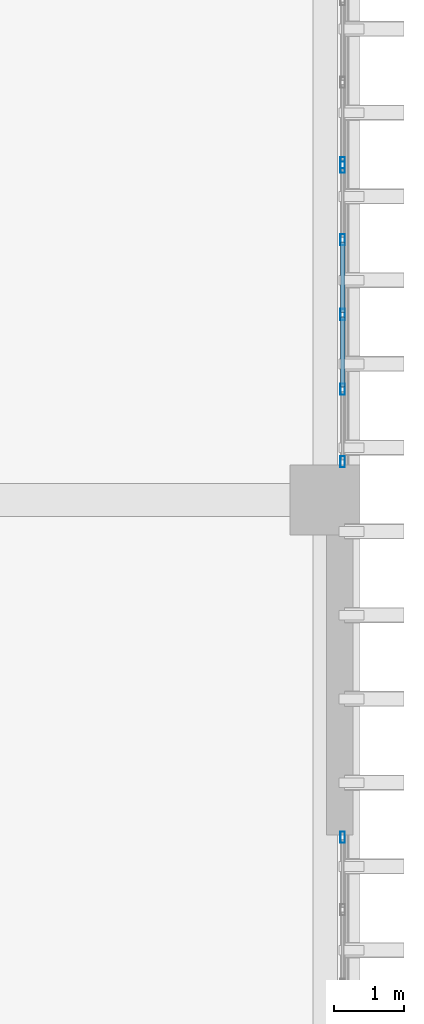
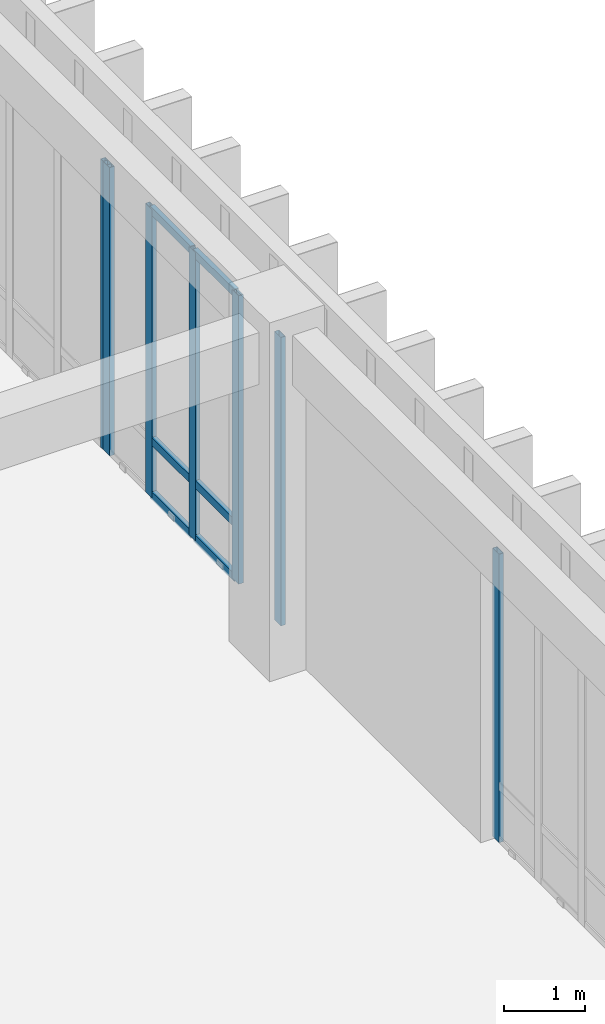
# One storey, part 86 of 134: 13 members, 3 elements without a shape of their own.
"""IFC4 building model written with IfcOpenShell, lengths in metres."""

import ifcopenshell
import ifcopenshell.guid

model = None  # the IFC model being written
_history = None  # IfcOwnerHistory: only IFC2X3 demands one
_inside = {}  # id of a spatial element -> (the spatial element, [elements in it])
_under = {}  # id of a project, library or spatial element -> (it, [spatial elements below it])
_declared = {}  # id of a project -> (the project, [libraries it declares])
_typed = {}  # id of a type object -> (the type object, [elements of that type])
_made_of = {}  # id of a material, layer set ... -> (it, [elements and type objects made of it])


def new_model(schema):
    """Start an empty IFC model of exactly this schema.

    Asked for "IFC4X3", IfcOpenShell would pick the latest addendum, in which some entities
    have other attributes; the version numbers below select the first issue.
    IFC2X3 requires an IfcOwnerHistory on every rooted entity: one is made here for all.
    """
    global model, _history
    if schema == "IFC4X3":
        model = ifcopenshell.file(schema_version=(4, 3, 0, 0))
    else:
        model = ifcopenshell.file(schema=schema)
    _inside.clear()
    _under.clear()
    _declared.clear()
    _typed.clear()
    _made_of.clear()
    _history = None
    if model.schema == "IFC2X3":
        org = make("IfcOrganization", Name="unknown")
        user = make(
            "IfcPersonAndOrganization",
            ThePerson=make("IfcPerson", FamilyName="unknown"),
            TheOrganization=org,
        )
        app = make(
            "IfcApplication",
            ApplicationDeveloper=org,
            Version="unknown",
            ApplicationFullName="unknown",
            ApplicationIdentifier="unknown",
        )
        _history = make(
            "IfcOwnerHistory",
            OwningUser=user,
            OwningApplication=app,
            ChangeAction="ADDED",
            CreationDate=0,
        )
    return model


def make(cls, **values):
    """One entity of the class cls with the attributes given. An attribute that is None is left unset."""
    return model.create_entity(
        cls, **{name: value for name, value in values.items() if value is not None}
    )


def rooted(cls, **values):
    """An entity with a GlobalId (a new one), such as an element, a storey or a relation."""
    return make(cls, GlobalId=ifcopenshell.guid.new(), OwnerHistory=_history, **values)


def si_unit(unit_type, name, prefix=None):
    """IfcSIUnit, for example si_unit("LENGTHUNIT", "METRE", prefix="MILLI")."""
    return make("IfcSIUnit", UnitType=unit_type, Prefix=prefix, Name=name)


def assignment(units):
    """IfcUnitAssignment: the units of a project."""
    return None if units is None else make("IfcUnitAssignment", Units=units)


def point(xyz):
    """IfcCartesianPoint."""
    return None if xyz is None else make("IfcCartesianPoint", Coordinates=xyz)


def direction(xyz):
    """IfcDirection."""
    return None if xyz is None else make("IfcDirection", DirectionRatios=xyz)


def frame(location, z_axis=None, x_axis=None):
    """IfcAxis2Placement3D, a coordinate frame: its origin and axes. An axis left out is left unset."""
    return make(
        "IfcAxis2Placement3D",
        Location=point(location),
        Axis=direction(z_axis),
        RefDirection=direction(x_axis),
    )


def frame_2d(location, x_axis=None):
    """IfcAxis2Placement2D, a coordinate frame in the plane: its origin and x axis."""
    return make(
        "IfcAxis2Placement2D", Location=point(location), RefDirection=direction(x_axis)
    )


def origin():
    """The frame at (0, 0, 0) with its axes left unset."""
    return frame((0.0, 0.0, 0.0))


def origin_2d():
    """The frame at (0, 0) in the plane with its x axis left unset."""
    return frame_2d((0.0, 0.0))


def place(relative_to, where):
    """IfcLocalPlacement: puts the frame where relative to a parent placement (None: the world)."""
    return make(
        "IfcLocalPlacement", PlacementRelTo=relative_to, RelativePlacement=where
    )


def context(
    kind, dimensions, precision=None, world=None, true_north=None, identifier=None
):
    """IfcGeometricRepresentationContext, for example the 3D "Model" context."""
    return make(
        "IfcGeometricRepresentationContext",
        ContextIdentifier=identifier,
        ContextType=kind,
        CoordinateSpaceDimension=dimensions,
        Precision=precision,
        WorldCoordinateSystem=world,
        TrueNorth=true_north,
    )


def subcontext(parent, identifier, kind, view, scale=None):
    """IfcGeometricRepresentationSubContext, for example "Body" below "Model"."""
    return make(
        "IfcGeometricRepresentationSubContext",
        ContextIdentifier=identifier,
        ContextType=kind,
        ParentContext=parent,
        TargetScale=scale,
        TargetView=view,
    )


def project(units=None, contexts=None):
    """IfcProject with its units and contexts."""
    return rooted(
        "IfcProject",
        Name="project",
        RepresentationContexts=contexts,
        UnitsInContext=assignment(units),
    )


def spatial(cls, under=None, at=None, **own):
    """A site, building, storey or space (cls), placed at a placement, below another one or the project."""
    s = rooted(cls, ObjectPlacement=at, **own)
    if under is not None:
        _under.setdefault(under.id(), (under, []))[1].append(s)
    return s


def profile(cls, at=None, kind="AREA", **sizes):
    """A parametric profile (cls). Its sizes go by their IFC names, for example OverallWidth=200.0."""
    return make(cls, ProfileType=kind, Position=at, **sizes)


def hollow_rectangle(**sizes):
    """IfcRectangleHollowProfileDef."""
    return profile("IfcRectangleHollowProfileDef", **sizes)


def extrude(swept, where, along, depth):
    """IfcExtrudedAreaSolid: the profile swept, set in the frame where, extruded along a direction by depth."""
    return make(
        "IfcExtrudedAreaSolid",
        SweptArea=swept,
        Position=where,
        ExtrudedDirection=direction(along),
        Depth=depth,
    )


def shape(context_of_items, identifier, shape_type, items):
    """IfcShapeRepresentation: the items that make up one representation, for example the "Body"."""
    return make(
        "IfcShapeRepresentation",
        ContextOfItems=context_of_items,
        RepresentationIdentifier=identifier,
        RepresentationType=shape_type,
        Items=items,
    )


def material(Name=None, Category=None):
    """IfcMaterial."""
    return make("IfcMaterial", Name=Name, Category=Category)


def layer(
    of_material, thickness, ventilated=None, Name=None, Category=None, Priority=None
):
    """IfcMaterialLayer: one layer of a wall or slab, of a material (None: an air gap)."""
    return make(
        "IfcMaterialLayer",
        Material=of_material,
        LayerThickness=thickness,
        IsVentilated=ventilated,
        Name=Name,
        Category=Category,
        Priority=Priority,
    )


def layer_set(layers, Name=None):
    """IfcMaterialLayerSet."""
    return make("IfcMaterialLayerSet", MaterialLayers=layers, LayerSetName=Name)


def material_profile(
    of_material, cross_section, Name=None, Category=None, Priority=None
):
    """IfcMaterialProfile: a cross section and its material."""
    return make(
        "IfcMaterialProfile",
        Name=Name,
        Material=of_material,
        Profile=cross_section,
        Priority=Priority,
        Category=Category,
    )


def profile_set(profiles, Name=None, composite=None):
    """IfcMaterialProfileSet."""
    return make(
        "IfcMaterialProfileSet",
        Name=Name,
        MaterialProfiles=profiles,
        CompositeProfile=composite,
    )


def made_of(thing, what):
    """Note that an element or type object is made of a material, layer set ...; save() writes the relation."""
    if what is not None:
        _made_of.setdefault(what.id(), (what, []))[1].append(thing)
    return thing


def type_object(cls, material=None, **own):
    """A type object (cls), such as IfcWallType, which elements share."""
    return made_of(rooted(cls, **own), material)


def element(
    cls,
    number,
    at=None,
    inside=None,
    cuts=None,
    type_object=None,
    material=None,
    context=None,
    identifier="Body",
    shape_type=None,
    held_by="IfcProductDefinitionShape",
    body=None,
    shapes=None,
    **own,
):
    """One element of the class cls, such as IfcWall. Its Tag is "e" and its number.

    at: its placement. inside: the storey or other place that contains it. cuts: it is an
    opening in that element (IfcRelVoidsElement). A single representation is given by context,
    identifier, shape_type and body (its items); several are given by shapes. held_by: the class
    of the entity that holds the representations. save() writes the other relations.
    """
    e = rooted(cls, Tag="e%d" % number, ObjectPlacement=at, **own)
    if body is not None:
        shapes = [shape(context, identifier, shape_type, body)]
    if shapes is not None:
        e.Representation = make(held_by, Representations=shapes)
    if inside is not None:
        _inside.setdefault(inside.id(), (inside, []))[1].append(e)
    if cuts is not None:
        rooted(
            "IfcRelVoidsElement", RelatingBuildingElement=cuts, RelatedOpeningElement=e
        )
    if type_object is not None:
        _typed.setdefault(type_object.id(), (type_object, []))[1].append(e)
    return made_of(e, material)


def aggregate(whole, parts):
    """IfcRelAggregates: a whole, such as a stair, and the parts it consists of."""
    return rooted("IfcRelAggregates", RelatingObject=whole, RelatedObjects=parts)


def save(model, path):
    """Write the relations noted so far, then the file.

    IfcRelAggregates (storeys below a building ...), IfcRelContainedInSpatialStructure (elements
    in a storey), IfcRelDefinesByType, IfcRelAssociatesMaterial and IfcRelDeclares: one each for
    every whole, place, type object, material and project.
    """
    for whole, parts in _under.values():
        aggregate(whole, parts)
    for where, things in _inside.values():
        rooted(
            "IfcRelContainedInSpatialStructure",
            RelatedElements=things,
            RelatingStructure=where,
        )
    for kind, things in _typed.values():
        rooted("IfcRelDefinesByType", RelatedObjects=things, RelatingType=kind)
    for what, things in _made_of.values():
        rooted("IfcRelAssociatesMaterial", RelatedObjects=things, RelatingMaterial=what)
    for by, libraries in _declared.values():
        rooted("IfcRelDeclares", RelatingContext=by, RelatedDefinitions=libraries)
    model.write(path)


model = new_model("IFC4")

# Units and contexts
model_context = context("Model", 3, precision=1e-05, world=origin(), true_north=direction((0.0, 1.0)))
body_context = subcontext(model_context, "Body", "Model", "MODEL_VIEW")
ifc_project = project(units=[si_unit("LENGTHUNIT", "METRE"), si_unit("AREAUNIT", "SQUARE_METRE"), si_unit("VOLUMEUNIT", "CUBIC_METRE"), si_unit("PLANEANGLEUNIT", "RADIAN"), si_unit("MASSUNIT", "GRAM", prefix="KILO")], contexts=[model_context])

# Site, building, storey
site_placement = place(None, origin())
site = spatial("IfcSite", under=ifc_project, at=site_placement, CompositionType="ELEMENT")
building_placement = place(site_placement, origin())
building = spatial("IfcBuilding", under=site, at=building_placement, Name="Nakhvara Creek Congress Hotel", CompositionType="ELEMENT")
storey_placement = place(building_placement, frame((0.0, 0.0, 6.0)))
storey = spatial("IfcBuildingStorey", under=building, at=storey_placement, Name="L01", CompositionType="ELEMENT", Elevation=6.0)

# Curtain wall, member
ifc_material_1 = material(Name="Bronze-anodised aluminium AW-6063-T6 and double-silver low-E glass", Category="aluminium")
ifc_layer = layer(ifc_material_1, 0.199951171875)
ifc_layer_set = layer_set([ifc_layer], Name="Bronze-anodised aluminium AW-6063-T6 and double-silver low-E glass")
curtain_wall_type = type_object("IfcCurtainWallType", Name="CW-HTL-UNIT", PredefinedType="USERDEFINED", material=ifc_layer_set)
curtain_wall_1_placement = place(storey_placement, origin())
curtain_wall_1 = element("IfcCurtainWall", 1, at=curtain_wall_1_placement, inside=storey, type_object=curtain_wall_type, Name="Curtain Wall CW123", ObjectType="UNITISED", PredefinedType="USERDEFINED")
ifc_material_2 = material(Name="Bronze-anodised aluminium AW-6063-T6", Category="aluminium")
ifc_material_profile_1 = material_profile(ifc_material_2, hollow_rectangle(XDim=0.06494140625, YDim=0.159912109375, WallThickness=0.00390625, at=origin_2d()), Name="ALU-MULL 65x160x4", Category="LoadBearing")
ifc_profile_set_1 = profile_set([ifc_material_profile_1], Name="Bronze-anodised aluminium AW-6063-T6")
member_type_1 = type_object("IfcMemberType", Name="CW-MULL-160", PredefinedType="MULLION", material=ifc_profile_set_1)
member_1_placement = place(storey_placement, frame((179.60009765625, 110.367431640625, 0.0), z_axis=(0.0, 0.0, 1.0), x_axis=(1.0, 0.0, 0.0)))
member_1 = element("IfcMember", 2, at=member_1_placement, type_object=member_type_1, Name="CW123 mullion 1", PredefinedType="MULLION", context=body_context, shape_type="SweptSolid", body=[
    extrude(hollow_rectangle(XDim=0.06494140625, YDim=0.159912109375, WallThickness=0.00390625, at=origin_2d()), origin(), (0.0, 0.0, 1.0), 4.342041015625),
])
aggregate(curtain_wall_1, [member_1])

# Curtain wall, members
curtain_wall_2_placement = place(storey_placement, origin())
curtain_wall_2 = element("IfcCurtainWall", 3, at=curtain_wall_2_placement, inside=storey, type_object=curtain_wall_type, Name="Curtain Wall CW125", ObjectType="UNITISED", PredefinedType="USERDEFINED")
member_2_placement = place(storey_placement, frame((179.60009765625, 119.967529296875, 0.0), z_axis=(0.0, 0.0, 1.0), x_axis=(1.0, 0.0, 0.0)))
member_2 = element("IfcMember", 4, at=member_2_placement, type_object=member_type_1, Name="CW125 mullion 1", PredefinedType="MULLION", context=body_context, shape_type="SweptSolid", body=[
    extrude(hollow_rectangle(XDim=0.06494140625, YDim=0.159912109375, WallThickness=0.00390625, at=origin_2d()), origin(), (0.0, 0.0, 1.0), 4.342041015625),
])
member_3_placement = place(storey_placement, frame((179.60009765625, 118.9287109375, 0.0), z_axis=(0.0, 0.0, 1.0), x_axis=(1.0, 0.0, 0.0)))
member_3 = element("IfcMember", 5, at=member_3_placement, type_object=member_type_1, Name="CW125 mullion 2", PredefinedType="MULLION", context=body_context, shape_type="SweptSolid", body=[
    extrude(hollow_rectangle(XDim=0.06494140625, YDim=0.159912109375, WallThickness=0.00390625, at=origin_2d()), origin(), (0.0, 0.0, 1.0), 4.342041015625),
])
member_4_placement = place(storey_placement, frame((179.60009765625, 117.857421875, 0.0), z_axis=(0.0, 0.0, 1.0), x_axis=(1.0, 0.0, 0.0)))
member_4 = element("IfcMember", 6, at=member_4_placement, type_object=member_type_1, Name="CW125 mullion 3", PredefinedType="MULLION", context=body_context, shape_type="SweptSolid", body=[
    extrude(hollow_rectangle(XDim=0.06494140625, YDim=0.159912109375, WallThickness=0.00390625, at=origin_2d()), origin(), (0.0, 0.0, 1.0), 4.342041015625),
])
member_5_placement = place(storey_placement, frame((179.60009765625, 116.7861328125, 0.0), z_axis=(0.0, 0.0, 1.0), x_axis=(1.0, 0.0, 0.0)))
member_5 = element("IfcMember", 7, at=member_5_placement, type_object=member_type_1, Name="CW125 mullion 4", PredefinedType="MULLION", context=body_context, shape_type="SweptSolid", body=[
    extrude(hollow_rectangle(XDim=0.06494140625, YDim=0.159912109375, WallThickness=0.00390625, at=origin_2d()), origin(), (0.0, 0.0, 1.0), 4.342041015625),
])
member_6_placement = place(storey_placement, frame((179.60009765625, 115.74755859375, 0.0), z_axis=(0.0, 0.0, 1.0), x_axis=(1.0, 0.0, 0.0)))
member_6 = element("IfcMember", 8, at=member_6_placement, type_object=member_type_1, Name="CW125 mullion 5", PredefinedType="MULLION", context=body_context, shape_type="SweptSolid", body=[
    extrude(hollow_rectangle(XDim=0.06494140625, YDim=0.159912109375, WallThickness=0.00390625, at=origin_2d()), origin(), (0.0, 0.0, 1.0), 4.342041015625),
])

# Curtain wall, member
curtain_wall_3_placement = place(storey_placement, origin())
curtain_wall_3 = element("IfcCurtainWall", 9, at=curtain_wall_3_placement, inside=storey, type_object=curtain_wall_type, Name="Curtain Wall CW127", ObjectType="UNITISED", PredefinedType="USERDEFINED")
member_7_placement = place(storey_placement, frame((179.60009765625, 120.032470703125, 0.0), z_axis=(0.0, 0.0, 1.0), x_axis=(1.0, 0.0, 0.0)))
member_7 = element("IfcMember", 10, at=member_7_placement, type_object=member_type_1, Name="CW127 mullion 5", PredefinedType="MULLION", context=body_context, shape_type="SweptSolid", body=[
    extrude(hollow_rectangle(XDim=0.06494140625, YDim=0.159912109375, WallThickness=0.00390625, at=origin_2d()), origin(), (0.0, 0.0, 1.0), 4.342041015625),
])
aggregate(curtain_wall_3, [member_7])

# Member
ifc_material_profile_2 = material_profile(ifc_material_2, hollow_rectangle(XDim=0.06494140625, YDim=0.1201171875, WallThickness=0.00390625, at=origin_2d()), Name="ALU-TRAN 65x120x4", Category="LoadBearing")
ifc_profile_set_2 = profile_set([ifc_material_profile_2], Name="Bronze-anodised aluminium AW-6063-T6")
member_type_2 = type_object("IfcMemberType", Name="CW-TRAN-120", PredefinedType="USERDEFINED", material=ifc_profile_set_2)
member_8_placement = place(storey_placement, frame((179.60009765625, 118.896240234375, 0.032470703125), z_axis=(0.0, -1.0, 0.0), x_axis=(1.0, 0.0, 0.0)))
member_8 = element("IfcMember", 11, at=member_8_placement, type_object=member_type_2, Name="CW125 transom 2.1", ObjectType="TRANSOM", PredefinedType="USERDEFINED", context=body_context, shape_type="SweptSolid", body=[
    extrude(hollow_rectangle(XDim=0.06494140625, YDim=0.1201171875, WallThickness=0.00390625, at=origin_2d()), origin(), (0.0, 0.0, 1.0), 1.00634765625),
])

member_9_placement = place(storey_placement, frame((179.60009765625, 118.896240234375, 0.85009765625), z_axis=(0.0, -1.0, 0.0), x_axis=(1.0, 0.0, 0.0)))
member_9 = element("IfcMember", 12, at=member_9_placement, type_object=member_type_2, Name="CW125 transom 2.2", ObjectType="TRANSOM", PredefinedType="USERDEFINED", context=body_context, shape_type="SweptSolid", body=[
    extrude(hollow_rectangle(XDim=0.06494140625, YDim=0.1201171875, WallThickness=0.00390625, at=origin_2d()), origin(), (0.0, 0.0, 1.0), 1.00634765625),
])

member_10_placement = place(storey_placement, frame((179.60009765625, 118.896240234375, 4.3095703125), z_axis=(0.0, -1.0, 0.0), x_axis=(1.0, 0.0, 0.0)))
member_10 = element("IfcMember", 13, at=member_10_placement, type_object=member_type_2, Name="CW125 transom 2.3", ObjectType="TRANSOM", PredefinedType="USERDEFINED", context=body_context, shape_type="SweptSolid", body=[
    extrude(hollow_rectangle(XDim=0.06494140625, YDim=0.1201171875, WallThickness=0.00390625, at=origin_2d()), origin(), (0.0, 0.0, 1.0), 1.00634765625),
])

member_11_placement = place(storey_placement, frame((179.60009765625, 117.824951171875, 0.032470703125), z_axis=(0.0, -1.0, 0.0), x_axis=(1.0, 0.0, 0.0)))
member_11 = element("IfcMember", 14, at=member_11_placement, type_object=member_type_2, Name="CW125 transom 3.1", ObjectType="TRANSOM", PredefinedType="USERDEFINED", context=body_context, shape_type="SweptSolid", body=[
    extrude(hollow_rectangle(XDim=0.06494140625, YDim=0.1201171875, WallThickness=0.00390625, at=origin_2d()), origin(), (0.0, 0.0, 1.0), 1.006103515625),
])

member_12_placement = place(storey_placement, frame((179.60009765625, 117.824951171875, 0.85009765625), z_axis=(0.0, -1.0, 0.0), x_axis=(1.0, 0.0, 0.0)))
member_12 = element("IfcMember", 15, at=member_12_placement, type_object=member_type_2, Name="CW125 transom 3.2", ObjectType="TRANSOM", PredefinedType="USERDEFINED", context=body_context, shape_type="SweptSolid", body=[
    extrude(hollow_rectangle(XDim=0.06494140625, YDim=0.1201171875, WallThickness=0.00390625, at=origin_2d()), origin(), (0.0, 0.0, 1.0), 1.006103515625),
])

member_13_placement = place(storey_placement, frame((179.60009765625, 117.824951171875, 4.3095703125), z_axis=(0.0, -1.0, 0.0), x_axis=(1.0, 0.0, 0.0)))
member_13 = element("IfcMember", 16, at=member_13_placement, type_object=member_type_2, Name="CW125 transom 3.3", ObjectType="TRANSOM", PredefinedType="USERDEFINED", context=body_context, shape_type="SweptSolid", body=[
    extrude(hollow_rectangle(XDim=0.06494140625, YDim=0.1201171875, WallThickness=0.00390625, at=origin_2d()), origin(), (0.0, 0.0, 1.0), 1.006103515625),
])

aggregate(curtain_wall_2, [member_2, member_3, member_4, member_5, member_6, member_8, member_9, member_10, member_11, member_12, member_13])

save(model, "model.ifc")
